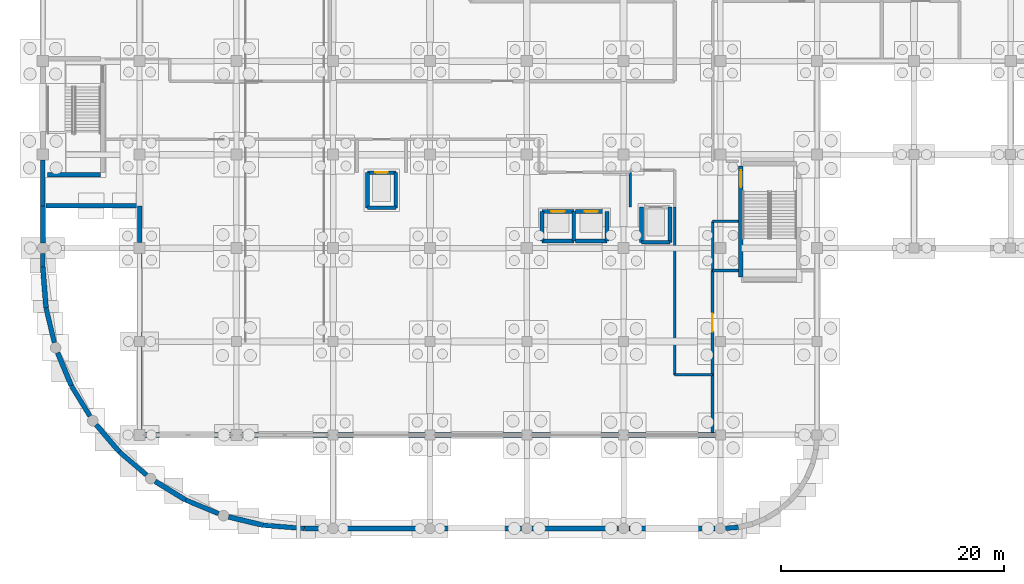
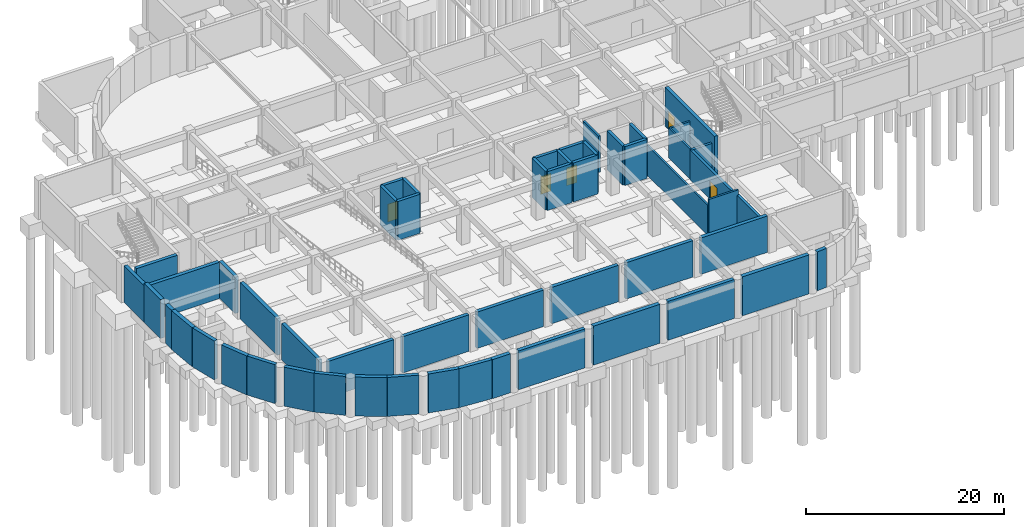
# One storey, part 24 of 33: 53 walls, 5 doors, 5 openings.
"""IFC4 building model written with IfcOpenShell, lengths in metres."""

from ifc_helpers import new_model, si_unit, derived_unit, direction, frame, frame_2d, origin, place, context, subcontext, project, spatial, rectangle, extrude, material, layer, layer_set, type_object, element, fill, save


model = new_model("IFC4")

# Units and contexts
model_context = context("Model", 3, precision=1e-05, world=origin(), true_north=direction((0.0, 1.0)))
body_context = subcontext(model_context, "Body", "Model", "MODEL_VIEW")
ifc_project = project(units=[si_unit("LENGTHUNIT", "METRE"), si_unit("AREAUNIT", "SQUARE_METRE"), si_unit("VOLUMEUNIT", "CUBIC_METRE"), si_unit("PLANEANGLEUNIT", "RADIAN"), si_unit("MASSUNIT", "GRAM", prefix="KILO"), derived_unit("THERMALTRANSMITTANCEUNIT", [(si_unit("MASSUNIT", "GRAM", prefix="KILO"), 1), (si_unit("TIMEUNIT", "SECOND"), -3), (si_unit("THERMODYNAMICTEMPERATUREUNIT", "KELVIN"), -1)])], contexts=[model_context])

# Site, building, storey
site_placement = place(None, origin())
site = spatial("IfcSite", under=ifc_project, at=site_placement, CompositionType="ELEMENT")
building_placement = place(site_placement, origin())
building = spatial("IfcBuilding", under=site, at=building_placement, Name="Qinzheling Arcade Emporium", CompositionType="ELEMENT")
storey_placement = place(building_placement, frame((0.0, 0.0, -9.60009765625)))
storey = spatial("IfcBuildingStorey", under=building, at=storey_placement, Name="B2", CompositionType="ELEMENT", Elevation=-9.60009765625)

# Walls
ifc_material_1 = material(Name="Double-stud acoustic gypsum board partition")
ifc_layer_1 = layer(ifc_material_1, 0.215087890625, Name="Double-stud acoustic gypsum board partition")
ifc_layer_set_1 = layer_set([ifc_layer_1], Name="Double-stud acoustic gypsum board partition")
wall_type_1 = type_object("IfcWallType", Name="Acoustic Corridor Partition Wall 215", PredefinedType="PARTITIONING", material=ifc_layer_set_1)
wall_1_placement = place(storey_placement, frame((62.544921875, 27.60009765625, 0.0), z_axis=(0.0, 0.0, 1.0), x_axis=(-1.0, 0.0, 0.0)))
element("IfcWall", 1, at=wall_1_placement, inside=storey, type_object=wall_type_1, Name="Interior Wall WL-B2-INT-0061", PredefinedType="PARTITIONING", context=body_context, shape_type="SweptSolid", body=[
    extrude(rectangle(XDim=2.344970703125, YDim=0.215087890625, at=frame_2d((1.17236328125, 0.0))), origin(), (0.0, 0.0, 1.0), 3.670166015625),
])
wall_2_placement = place(storey_placement, frame((60.199951171875, 27.60009765625, 0.0), z_axis=(0.0, 0.0, 1.0), x_axis=(0.0, -1.0, 0.0)))
element("IfcWall", 2, at=wall_2_placement, inside=storey, type_object=wall_type_1, Name="Interior Wall WL-B2-INT-0062", PredefinedType="PARTITIONING", context=body_context, shape_type="SweptSolid", body=[
    extrude(rectangle(XDim=4.400146484375, YDim=0.215087890625, at=frame_2d((2.2001953125, 0.0))), origin(), (0.0, 0.0, 1.0), 3.670166015625),
])
wall_3_placement = place(storey_placement, frame((60.199951171875, 13.800048828125, 0.0), z_axis=(0.0, 0.0, 1.0), x_axis=(-1.0, 0.0, 0.0)))
element("IfcWall", 3, at=wall_3_placement, inside=storey, type_object=wall_type_1, Name="Interior Wall WL-B2-INT-0070", PredefinedType="PARTITIONING", context=body_context, shape_type="SweptSolid", body=[
    extrude(rectangle(XDim=3.39990234375, YDim=0.215087890625, at=frame_2d((1.699951171875, 0.0))), origin(), (0.0, 0.0, 1.0), 4.4501953125),
])
wall_4_placement = place(storey_placement, frame((56.800048828125, 13.800048828125, 0.0), z_axis=(0.0, 0.0, 1.0), x_axis=(0.0, 1.0, 0.0)))
element("IfcWall", 4, at=wall_4_placement, inside=storey, type_object=wall_type_1, Name="Interior Wall WL-B2-INT-0071", PredefinedType="PARTITIONING", context=body_context, shape_type="SweptSolid", body=[
    extrude(rectangle(XDim=15.079833984375, YDim=0.215087890625, at=frame_2d((7.5400390625, 0.0))), origin(), (0.0, 0.0, 1.0), 3.670166015625),
])
ifc_material_2 = material(Name="Concrete C40", Category="concrete")
ifc_layer_2 = layer(ifc_material_2, 0.419921875, Name="Concrete C40", Category="concrete")
ifc_layer_set_2 = layer_set([ifc_layer_2], Name="Concrete C40")
wall_type_2 = type_object("IfcWallType", Name="Basement Ramp Retaining Wall 420 C40", PredefinedType="USERDEFINED", material=ifc_layer_set_2)
wall_5_placement = place(storey_placement, frame((62.513916015625, 0.10302734375, 0.0), z_axis=(0.0, 0.0, 1.0), x_axis=(-0.996942630005, -0.078137010941, 0.0)))
element("IfcWall", 5, at=wall_5_placement, inside=storey, type_object=wall_type_2, Name="Retaining Wall WL-B2-RW-012", ObjectType="RETAININGWALL", PredefinedType="USERDEFINED", context=body_context, shape_type="SweptSolid", body=[
    extrude(rectangle(XDim=1.140380859375, YDim=0.419921875, at=frame_2d((0.5703125, 0.0))), origin(), (0.0, 0.0, 1.0), 4.800048828125),
])
wall_6_placement = place(storey_placement, frame((51.722900390625, 0.0, 0.0), z_axis=(0.0, 0.0, 1.0), x_axis=(-1.0, 0.0, 0.0)))
element("IfcWall", 6, at=wall_6_placement, inside=storey, type_object=wall_type_2, Name="Retaining Wall WL-B2-RW-014", ObjectType="RETAININGWALL", PredefinedType="USERDEFINED", context=body_context, shape_type="SweptSolid", body=[
    extrude(rectangle(XDim=7.745849609375, YDim=0.419921875, at=frame_2d((3.873046875, 0.0))), origin(), (0.0, 0.0, 1.0), 4.800048828125),
])
wall_7_placement = place(storey_placement, frame((34.322998046875, 0.0, 0.0), z_axis=(0.0, 0.0, 1.0), x_axis=(-1.0, 0.0, 0.0)))
element("IfcWall", 7, at=wall_7_placement, inside=storey, type_object=wall_type_2, Name="Retaining Wall WL-B2-RW-016", ObjectType="RETAININGWALL", PredefinedType="USERDEFINED", context=body_context, shape_type="SweptSolid", body=[
    extrude(rectangle(XDim=7.74609375, YDim=0.419921875, at=frame_2d((3.873046875, 0.0))), origin(), (0.0, 0.0, 1.0), 4.800048828125),
])
wall_8_placement = place(storey_placement, frame((23.5, 0.0, 0.0), z_axis=(0.0, 0.0, 1.0), x_axis=(-0.996922570338, 0.078392529938, 0.0)))
element("IfcWall", 8, at=wall_8_placement, inside=storey, type_object=wall_type_2, Name="Retaining Wall WL-B2-RW-018", ObjectType="RETAININGWALL", PredefinedType="USERDEFINED", context=body_context, shape_type="SweptSolid", body=[
    extrude(rectangle(XDim=3.687255859375, YDim=0.419921875, at=frame_2d((1.84375, 0.0))), origin(), (0.0, 0.0, 1.0), 4.800048828125),
])
for number, where, z_axis, x_axis, name in (
    (9, (15.797119140625, 1.3330078125, 0.0), (0.0, 0.0, 1.0), (-0.923940840617, 0.382535387958, 0.0), "Retaining Wall WL-B2-RW-020"),
    (10, (9.323974609375, 4.798095703125, 0.0), (0.0, 0.0, 1.0), (-0.760372113248, 0.64948768225, 0.0), "Retaining Wall WL-B2-RW-022"),
):
    element("IfcWall", number, at=place(storey_placement, frame(where, z_axis=z_axis, x_axis=x_axis)), inside=storey, type_object=wall_type_2, Name=name, ObjectType="RETAININGWALL", PredefinedType="USERDEFINED", context=body_context, shape_type="SweptSolid", body=[
        extrude(rectangle(XDim=3.210205078125, YDim=0.419921875, at=frame_2d((1.60498046875, 0.0))), origin(), (0.0, 0.0, 1.0), 4.800048828125),
    ])
wall_9_placement = place(storey_placement, frame((4.239013671875, 10.093994140625, 0.0), z_axis=(0.0, 0.0, 1.0), x_axis=(-0.52265834778, 0.85254222857, 0.0)))
element("IfcWall", 11, at=wall_9_placement, inside=storey, type_object=wall_type_2, Name="Retaining Wall WL-B2-RW-024", ObjectType="RETAININGWALL", PredefinedType="USERDEFINED", context=body_context, shape_type="SweptSolid", body=[
    extrude(rectangle(XDim=3.21044921875, YDim=0.419921875, at=frame_2d((1.605224609375, 0.0))), origin(), (0.0, 0.0, 1.0), 4.800048828125),
])
wall_10_placement = place(storey_placement, frame((1.0390625, 16.701904296875, 0.0), z_axis=(0.0, 0.0, 1.0), x_axis=(-0.233580002075, 0.972337586762, 0.0)))
element("IfcWall", 12, at=wall_10_placement, inside=storey, type_object=wall_type_2, Name="Retaining Wall WL-B2-RW-026", ObjectType="RETAININGWALL", PredefinedType="USERDEFINED", context=body_context, shape_type="SweptSolid", body=[
    extrude(rectangle(XDim=3.2109375, YDim=0.419921875, at=frame_2d((1.60546875, 0.0))), origin(), (0.0, 0.0, 1.0), 4.800048828125),
])
wall_11_placement = place(storey_placement, frame((0.0, 23.5, 0.0), z_axis=(0.0, 0.0, 1.0), x_axis=(0.0, 1.0, 0.0)))
element("IfcWall", 13, at=wall_11_placement, inside=storey, type_object=wall_type_2, Name="Retaining Wall WL-B2-RW-028", ObjectType="RETAININGWALL", PredefinedType="USERDEFINED", context=body_context, shape_type="SweptSolid", body=[
    extrude(rectangle(XDim=1.222900390625, YDim=0.419921875, at=frame_2d((0.611328125, 0.0))), origin(), (0.0, 0.0, 1.0), 4.800048828125),
])
wall_12_placement = place(storey_placement, frame((0.0, 29.0, 0.0), z_axis=(0.0, 0.0, 1.0), x_axis=(0.0, 1.0, 0.0)))
element("IfcWall", 14, at=wall_12_placement, inside=storey, type_object=wall_type_2, Name="Retaining Wall WL-B2-RW-030", ObjectType="RETAININGWALL", PredefinedType="USERDEFINED", context=body_context, shape_type="SweptSolid", body=[
    extrude(rectangle(XDim=4.097900390625, YDim=0.419921875, at=frame_2d((2.048828125, 0.0))), origin(), (0.0, 0.0, 1.0), 4.47998046875),
])
ifc_material_3 = material(Name="Fire-rated double-stud gypsum and mineral wool wall")
ifc_layer_3 = layer(ifc_material_3, 0.2451171875, Name="Fire-rated double-stud gypsum and mineral wool wall")
ifc_layer_set_3 = layer_set([ifc_layer_3], Name="Fire-rated double-stud gypsum and mineral wool wall")
wall_type_3 = type_object("IfcWallType", Name="Firefighting Lobby Rated Wall 245", PredefinedType="STANDARD", material=ifc_layer_set_3)
wall_13_placement = place(storey_placement, frame((52.800048828125, 28.8798828125, 0.0), z_axis=(0.0, 0.0, 1.0), x_axis=(0.0, 1.0, 0.0)))
element("IfcWall", 15, at=wall_13_placement, inside=storey, type_object=wall_type_3, Name="Interior Wall WL-B2-INT-0047", PredefinedType="STANDARD", context=body_context, shape_type="SweptSolid", body=[
    extrude(rectangle(XDim=3.1201171875, YDim=0.2451171875, at=frame_2d((1.56005859375, 0.0))), origin(), (0.0, 0.0, 1.0), 4.4501953125),
])
ifc_layer_4 = layer(ifc_material_2, 0.409912109375, Name="Concrete C40", Category="concrete")
ifc_layer_set_4 = layer_set([ifc_layer_4], Name="Concrete C40")
wall_type_4 = type_object("IfcWallType", Name="Interior Basement Retaining Wall 410 C40", PredefinedType="USERDEFINED", material=ifc_layer_set_4)
wall_14_placement = place(storey_placement, frame((8.699951171875, 8.902099609375, 0.0), z_axis=(0.0, 0.0, 1.0), x_axis=(0.0, 1.0, 0.0)))
element("IfcWall", 16, at=wall_14_placement, inside=storey, type_object=wall_type_4, Name="Internal Basement Retaining Wall WL-B2-RW-132", ObjectType="RETAININGWALL", PredefinedType="USERDEFINED", context=body_context, shape_type="SweptSolid", body=[
    extrude(rectangle(XDim=7.44580078125, YDim=0.409912109375, at=frame_2d((3.722900390625, 0.0))), origin(), (0.0, 0.0, 1.0), 4.47998046875),
])
wall_15_placement = place(storey_placement, frame((8.699951171875, 17.251953125, 0.0), z_axis=(0.0, 0.0, 1.0), x_axis=(0.0, 1.0, 0.0)))
element("IfcWall", 17, at=wall_15_placement, inside=storey, type_object=wall_type_4, Name="Internal Basement Retaining Wall WL-B2-RW-133", ObjectType="RETAININGWALL", PredefinedType="USERDEFINED", context=body_context, shape_type="SweptSolid", body=[
    extrude(rectangle(XDim=7.446044921875, YDim=0.409912109375, at=frame_2d((3.72314453125, 0.0))), origin(), (0.0, 0.0, 1.0), 4.47998046875),
])
wall_16_placement = place(storey_placement, frame((8.699951171875, 25.701904296875, 0.0), z_axis=(0.0, 0.0, 1.0), x_axis=(0.0, 1.0, 0.0)))
element("IfcWall", 18, at=wall_16_placement, inside=storey, type_object=wall_type_4, Name="Internal Basement Retaining Wall WL-B2-RW-134", ObjectType="RETAININGWALL", PredefinedType="USERDEFINED", context=body_context, shape_type="SweptSolid", body=[
    extrude(rectangle(XDim=3.298095703125, YDim=0.409912109375, at=frame_2d((1.64892578125, 0.0))), origin(), (0.0, 0.0, 1.0), 4.47998046875),
])
wall_17_placement = place(storey_placement, frame((8.455078125, 29.0, 0.0), z_axis=(0.0, 0.0, 1.0), x_axis=(-1.0, 0.0, 0.0)))
element("IfcWall", 19, at=wall_17_placement, inside=storey, type_object=wall_type_4, Name="Internal Basement Retaining Wall WL-B2-RW-135", ObjectType="RETAININGWALL", PredefinedType="USERDEFINED", context=body_context, shape_type="SweptSolid", body=[
    extrude(rectangle(XDim=8.190185546875, YDim=0.409912109375, at=frame_2d((4.09521484375, 0.0))), origin(), (0.0, 0.0, 1.0), 4.47998046875),
])
wall_18_placement = place(storey_placement, frame((60.447998046875, 8.39990234375, 0.0), z_axis=(0.0, 0.0, 1.0), x_axis=(-1.0, 0.0, 0.0)))
element("IfcWall", 20, at=wall_18_placement, inside=storey, type_object=wall_type_4, Name="Internal Basement Retaining Wall WL-B2-RW-161", ObjectType="RETAININGWALL", PredefinedType="USERDEFINED", context=body_context, shape_type="SweptSolid", body=[
    extrude(rectangle(XDim=7.7958984375, YDim=0.409912109375, at=frame_2d((3.89794921875, 0.0))), origin(), (0.0, 0.0, 1.0), 4.47998046875),
])
for number, where, z_axis, x_axis, name in (
    (21, (51.748046875, 8.39990234375, 0.0), (0.0, 0.0, 1.0), (-1.0, 0.0, 0.0), "Internal Basement Retaining Wall WL-B2-RW-162"),
    (22, (43.048095703125, 8.39990234375, 0.0), (0.0, 0.0, 1.0), (-1.0, 0.0, 0.0), "Internal Basement Retaining Wall WL-B2-RW-163"),
):
    element("IfcWall", number, at=place(storey_placement, frame(where, z_axis=z_axis, x_axis=x_axis)), inside=storey, type_object=wall_type_4, Name=name, ObjectType="RETAININGWALL", PredefinedType="USERDEFINED", context=body_context, shape_type="SweptSolid", body=[
        extrude(rectangle(XDim=7.796142578125, YDim=0.409912109375, at=frame_2d((3.89794921875, 0.0))), origin(), (0.0, 0.0, 1.0), 4.47998046875),
    ])
wall_19_placement = place(storey_placement, frame((34.347900390625, 8.39990234375, 0.0), z_axis=(0.0, 0.0, 1.0), x_axis=(-1.0, 0.0, 0.0)))
element("IfcWall", 23, at=wall_19_placement, inside=storey, type_object=wall_type_4, Name="Internal Basement Retaining Wall WL-B2-RW-164", ObjectType="RETAININGWALL", PredefinedType="USERDEFINED", context=body_context, shape_type="SweptSolid", body=[
    extrude(rectangle(XDim=7.7958984375, YDim=0.409912109375, at=frame_2d((3.89794921875, 0.0))), origin(), (0.0, 0.0, 1.0), 4.47998046875),
])
wall_20_placement = place(storey_placement, frame((25.64794921875, 8.39990234375, 0.0), z_axis=(0.0, 0.0, 1.0), x_axis=(-1.0, 0.0, 0.0)))
element("IfcWall", 24, at=wall_20_placement, inside=storey, type_object=wall_type_4, Name="Internal Basement Retaining Wall WL-B2-RW-165", ObjectType="RETAININGWALL", PredefinedType="USERDEFINED", context=body_context, shape_type="SweptSolid", body=[
    extrude(rectangle(XDim=7.745849609375, YDim=0.409912109375, at=frame_2d((3.873046875, 0.0))), origin(), (0.0, 0.0, 1.0), 4.47998046875),
])
wall_21_placement = place(storey_placement, frame((16.89794921875, 8.39990234375, 0.0), z_axis=(0.0, 0.0, 1.0), x_axis=(-1.0, 0.0, 0.0)))
element("IfcWall", 25, at=wall_21_placement, inside=storey, type_object=wall_type_4, Name="Internal Basement Retaining Wall WL-B2-RW-166", ObjectType="RETAININGWALL", PredefinedType="USERDEFINED", context=body_context, shape_type="SweptSolid", body=[
    extrude(rectangle(XDim=7.696044921875, YDim=0.409912109375, at=frame_2d((3.84814453125, 0.0))), origin(), (0.0, 0.0, 1.0), 4.47998046875),
])
ifc_layer_5 = layer(ifc_material_2, 0.35009765625, Name="Concrete C40", Category="concrete")
ifc_layer_set_5 = layer_set([ifc_layer_5], Name="Concrete C40")
wall_type_5 = type_object("IfcWallType", Name="RC Lift Shaft Shear Wall 350 C40", PredefinedType="SHEAR", material=ifc_layer_set_5)
wall_22_placement = place(storey_placement, frame((56.375, 25.72509765625, 0.0), z_axis=(0.0, 0.0, 1.0), x_axis=(-1.0, 0.0, 0.0)))
element("IfcWall", 26, at=wall_22_placement, inside=storey, type_object=wall_type_5, Name="Lift Shaft Wall WL-B2-LFT-LF01-S", PredefinedType="SHEAR", context=body_context, shape_type="SweptSolid", body=[
    extrude(rectangle(XDim=2.550048828125, YDim=0.35009765625, at=frame_2d((1.27490234375, 0.0))), origin(), (0.0, 0.0, 1.0), 4.800048828125),
])
for number, where, z_axis, x_axis, name in (
    (27, (53.824951171875, 25.72509765625, 0.0), (0.0, 0.0, 1.0), (0.0, 1.0, 0.0), "Lift Shaft Wall WL-B2-LFT-LF01-W"),
    (28, (56.375, 28.875, 0.0), (0.0, 0.0, 1.0), (0.0, -1.0, 0.0), "Lift Shaft Wall WL-B2-LFT-LF01-E"),
):
    element("IfcWall", number, at=place(storey_placement, frame(where, z_axis=z_axis, x_axis=x_axis)), inside=storey, type_object=wall_type_5, Name=name, PredefinedType="SHEAR", context=body_context, shape_type="SweptSolid", body=[
        extrude(rectangle(XDim=3.14990234375, YDim=0.35009765625, at=frame_2d((1.574951171875, 0.0))), origin(), (0.0, 0.0, 1.0), 4.800048828125),
    ])

# Wall, opening, door
wall_23_placement = place(storey_placement, frame((29.175048828125, 31.97509765625, 0.0), z_axis=(0.0, 0.0, 1.0), x_axis=(1.0, 0.0, 0.0)))
wall_23 = element("IfcWall", 29, at=wall_23_placement, inside=storey, type_object=wall_type_5, Name="Lift Shaft Wall WL-B2-LFT-LF02-N", PredefinedType="SHEAR", context=body_context, shape_type="SweptSolid", body=[
    extrude(rectangle(XDim=2.550048828125, YDim=0.35009765625, at=frame_2d((1.27490234375, 0.0))), origin(), (0.0, 0.0, 1.0), 4.800048828125),
])
opening_1_placement = place(wall_23_placement, frame((0.72509765625, 0.0, 0.0)))
opening_1 = element("IfcOpeningElement", 30, at=opening_1_placement, cuts=wall_23, Name="Opening LD01", PredefinedType="OPENING", context=body_context, shape_type="SweptSolid", body=[
    extrude(rectangle(XDim=1.10009765625, YDim=2.199951171875, at=frame_2d((0.550048828125, 1.10009765625))), frame((0.0, 0.18505859375, 0.0), z_axis=(0.0, -1.0, 0.0), x_axis=(1.0, 0.0, 0.0)), (0.0, 0.0, 1.0), 0.3701171875),
])
ifc_material_4 = material(Name="Fire-rated stainless steel sliding lift door", Category="steel")
door_type_1 = type_object("IfcDoorType", Name="Firefighting Lift Sliding Landing Door 1100x2200", OperationType="DOUBLE_DOOR_SLIDING", PredefinedType="DOOR", material=ifc_material_4)
door_1_placement = place(opening_1_placement, origin())
door_1 = element("IfcDoor", 31, at=door_1_placement, inside=storey, type_object=door_type_1, Name="LD01 Lift Landing Door LF02 B2", OperationType="DOUBLE_DOOR_SLIDING", OverallHeight=2.199951171875, OverallWidth=1.10009765625, PredefinedType="DOOR", context=body_context, shape_type="SweptSolid", body=[
    extrude(rectangle(XDim=1.10009765625, YDim=2.199951171875, at=frame_2d((0.550048828125, 1.10009765625))), frame((0.0, 0.02490234375, 0.0), z_axis=(0.0, -1.0, 0.0), x_axis=(1.0, 0.0, 0.0)), (0.0, 0.0, 1.0), 0.050048828125),
])
fill(opening_1, door_1)

# Walls
wall_24_placement = place(storey_placement, frame((31.72509765625, 28.824951171875, 0.0), z_axis=(0.0, 0.0, 1.0), x_axis=(-1.0, 0.0, 0.0)))
element("IfcWall", 32, at=wall_24_placement, inside=storey, type_object=wall_type_5, Name="Lift Shaft Wall WL-B2-LFT-LF02-S", PredefinedType="SHEAR", context=body_context, shape_type="SweptSolid", body=[
    extrude(rectangle(XDim=2.550048828125, YDim=0.35009765625, at=frame_2d((1.27490234375, 0.0))), origin(), (0.0, 0.0, 1.0), 4.800048828125),
])
for number, where, z_axis, x_axis, name in (
    (33, (29.175048828125, 28.824951171875, 0.0), (0.0, 0.0, 1.0), (0.0, 1.0, 0.0), "Lift Shaft Wall WL-B2-LFT-LF02-W"),
    (34, (31.72509765625, 31.97509765625, 0.0), (0.0, 0.0, 1.0), (0.0, -1.0, 0.0), "Lift Shaft Wall WL-B2-LFT-LF02-E"),
):
    element("IfcWall", number, at=place(storey_placement, frame(where, z_axis=z_axis, x_axis=x_axis)), inside=storey, type_object=wall_type_5, Name=name, PredefinedType="SHEAR", context=body_context, shape_type="SweptSolid", body=[
        extrude(rectangle(XDim=3.150146484375, YDim=0.35009765625, at=frame_2d((1.5751953125, 0.0))), origin(), (0.0, 0.0, 1.0), 4.800048828125),
    ])

# Wall, opening, door
wall_25_placement = place(storey_placement, frame((44.875, 28.47509765625, 0.0), z_axis=(0.0, 0.0, 1.0), x_axis=(1.0, 0.0, 0.0)))
wall_25 = element("IfcWall", 35, at=wall_25_placement, inside=storey, type_object=wall_type_5, Name="Lift Shaft Wall WL-B2-LFT-LP01-N", PredefinedType="SHEAR", context=body_context, shape_type="SweptSolid", body=[
    extrude(rectangle(XDim=2.85009765625, YDim=0.35009765625, at=frame_2d((1.425048828125, 0.0))), origin(), (0.0, 0.0, 1.0), 4.800048828125),
])
opening_2_placement = place(wall_25_placement, frame((0.824951171875, 0.0, 0.0)))
opening_2 = element("IfcOpeningElement", 36, at=opening_2_placement, cuts=wall_25, Name="Opening LD02", PredefinedType="OPENING", context=body_context, shape_type="SweptSolid", body=[
    extrude(rectangle(XDim=1.199951171875, YDim=2.199951171875, at=frame_2d((0.60009765625, 1.10009765625))), frame((0.0, 0.18505859375, 0.0), z_axis=(0.0, -1.0, 0.0), x_axis=(1.0, 0.0, 0.0)), (0.0, 0.0, 1.0), 0.3701171875),
])
ifc_material_5 = material(Name="Brushed bronze stainless sliding lift door")
door_type_2 = type_object("IfcDoorType", Name="Passenger Lift Sliding Landing Door 1200x2200", OperationType="DOUBLE_DOOR_SLIDING", PredefinedType="DOOR", material=ifc_material_5)
door_2_placement = place(opening_2_placement, origin())
door_2 = element("IfcDoor", 37, at=door_2_placement, inside=storey, type_object=door_type_2, Name="LD02 Lift Landing Door LP01 B2", OperationType="DOUBLE_DOOR_SLIDING", OverallHeight=2.199951171875, OverallWidth=1.199951171875, PredefinedType="DOOR", context=body_context, shape_type="SweptSolid", body=[
    extrude(rectangle(XDim=1.199951171875, YDim=2.199951171875, at=frame_2d((0.60009765625, 1.10009765625))), frame((0.0, 0.02490234375, 0.0), z_axis=(0.0, -1.0, 0.0), x_axis=(1.0, 0.0, 0.0)), (0.0, 0.0, 1.0), 0.050048828125),
])
fill(opening_2, door_2)

# Walls
wall_26_placement = place(storey_placement, frame((47.72509765625, 25.824951171875, 0.0), z_axis=(0.0, 0.0, 1.0), x_axis=(-1.0, 0.0, 0.0)))
element("IfcWall", 38, at=wall_26_placement, inside=storey, type_object=wall_type_5, Name="Lift Shaft Wall WL-B2-LFT-LP01-S", PredefinedType="SHEAR", context=body_context, shape_type="SweptSolid", body=[
    extrude(rectangle(XDim=2.85009765625, YDim=0.35009765625, at=frame_2d((1.425048828125, 0.0))), origin(), (0.0, 0.0, 1.0), 4.800048828125),
])
for number, where, z_axis, x_axis, name in (
    (39, (44.875, 25.824951171875, 0.0), (0.0, 0.0, 1.0), (0.0, 1.0, 0.0), "Lift Shaft Wall WL-B2-LFT-LP01-W"),
    (40, (47.72509765625, 28.47509765625, 0.0), (0.0, 0.0, 1.0), (0.0, -1.0, 0.0), "Lift Shaft Wall WL-B2-LFT-LP01-E"),
):
    element("IfcWall", number, at=place(storey_placement, frame(where, z_axis=z_axis, x_axis=x_axis)), inside=storey, type_object=wall_type_5, Name=name, PredefinedType="SHEAR", context=body_context, shape_type="SweptSolid", body=[
        extrude(rectangle(XDim=2.650146484375, YDim=0.35009765625, at=frame_2d((1.3251953125, 0.0))), origin(), (0.0, 0.0, 1.0), 4.800048828125),
    ])

# Wall, opening, door
wall_27_placement = place(storey_placement, frame((47.875, 28.47509765625, 0.0), z_axis=(0.0, 0.0, 1.0), x_axis=(1.0, 0.0, 0.0)))
wall_27 = element("IfcWall", 41, at=wall_27_placement, inside=storey, type_object=wall_type_5, Name="Lift Shaft Wall WL-B2-LFT-LP02-N", PredefinedType="SHEAR", context=body_context, shape_type="SweptSolid", body=[
    extrude(rectangle(XDim=2.85009765625, YDim=0.35009765625, at=frame_2d((1.425048828125, 0.0))), origin(), (0.0, 0.0, 1.0), 4.800048828125),
])
opening_3_placement = place(wall_27_placement, frame((0.824951171875, 0.0, 0.0)))
opening_3 = element("IfcOpeningElement", 42, at=opening_3_placement, cuts=wall_27, Name="Opening LD02", PredefinedType="OPENING", context=body_context, shape_type="SweptSolid", body=[
    extrude(rectangle(XDim=1.199951171875, YDim=2.199951171875, at=frame_2d((0.60009765625, 1.10009765625))), frame((0.0, 0.18505859375, 0.0), z_axis=(0.0, -1.0, 0.0), x_axis=(1.0, 0.0, 0.0)), (0.0, 0.0, 1.0), 0.3701171875),
])
door_3_placement = place(opening_3_placement, origin())
door_3 = element("IfcDoor", 43, at=door_3_placement, inside=storey, type_object=door_type_2, Name="LD02 Lift Landing Door LP02 B2", OperationType="DOUBLE_DOOR_SLIDING", OverallHeight=2.199951171875, OverallWidth=1.199951171875, PredefinedType="DOOR", context=body_context, shape_type="SweptSolid", body=[
    extrude(rectangle(XDim=1.199951171875, YDim=2.199951171875, at=frame_2d((0.60009765625, 1.10009765625))), frame((0.0, 0.02490234375, 0.0), z_axis=(0.0, -1.0, 0.0), x_axis=(1.0, 0.0, 0.0)), (0.0, 0.0, 1.0), 0.050048828125),
])
fill(opening_3, door_3)

# Walls
wall_28_placement = place(storey_placement, frame((50.72509765625, 25.824951171875, 0.0), z_axis=(0.0, 0.0, 1.0), x_axis=(-1.0, 0.0, 0.0)))
element("IfcWall", 44, at=wall_28_placement, inside=storey, type_object=wall_type_5, Name="Lift Shaft Wall WL-B2-LFT-LP02-S", PredefinedType="SHEAR", context=body_context, shape_type="SweptSolid", body=[
    extrude(rectangle(XDim=2.85009765625, YDim=0.35009765625, at=frame_2d((1.425048828125, 0.0))), origin(), (0.0, 0.0, 1.0), 4.800048828125),
])
wall_29_placement = place(storey_placement, frame((50.72509765625, 28.47509765625, 0.0), z_axis=(0.0, 0.0, 1.0), x_axis=(0.0, -1.0, 0.0)))
element("IfcWall", 45, at=wall_29_placement, inside=storey, type_object=wall_type_5, Name="Lift Shaft Wall WL-B2-LFT-LP02-E", PredefinedType="SHEAR", context=body_context, shape_type="SweptSolid", body=[
    extrude(rectangle(XDim=2.650146484375, YDim=0.35009765625, at=frame_2d((1.3251953125, 0.0))), origin(), (0.0, 0.0, 1.0), 4.800048828125),
])

# Wall, opening, door
ifc_material_6 = material(Name="Concrete C50", Category="concrete")
ifc_layer_6 = layer(ifc_material_6, 0.39990234375, Name="Concrete C50", Category="concrete")
ifc_layer_set_6 = layer_set([ifc_layer_6], Name="Concrete C50")
wall_type_6 = type_object("IfcWallType", Name="RC Stair Core Shear Wall 400 C50", PredefinedType="SHEAR", material=ifc_layer_set_6)
wall_30_placement = place(storey_placement, frame((62.75, 22.60009765625, 0.0), z_axis=(0.0, 0.0, 1.0), x_axis=(0.0, 1.0, 0.0)))
wall_30 = element("IfcWall", 46, at=wall_30_placement, inside=storey, type_object=wall_type_6, Name="Stair Core Wall WL-B2-ST01-WEST", PredefinedType="SHEAR", context=body_context, shape_type="SweptSolid", body=[
    extrude(rectangle(XDim=10.0, YDim=0.39990234375, at=frame_2d((5.0, 0.0))), origin(), (0.0, 0.0, 1.0), 4.800048828125),
])
opening_4_placement = place(wall_30_placement, frame((8.090087890625, 0.0, 0.0)))
opening_4 = element("IfcOpeningElement", 47, at=opening_4_placement, cuts=wall_30, Name="Opening FD01", PredefinedType="OPENING", context=body_context, shape_type="SweptSolid", body=[
    extrude(rectangle(XDim=1.5, YDim=2.199951171875, at=frame_2d((0.75, 1.10009765625))), frame((0.0, 0.2099609375, 0.0), z_axis=(0.0, -1.0, 0.0), x_axis=(1.0, 0.0, 0.0)), (0.0, 0.0, 1.0), 0.419921875),
])
ifc_material_7 = material(Name="Class A fire-rated steel double door", Category="steel")
door_type_3 = type_object("IfcDoorType", Name="Stairwell Smoke-Proof Fire Door 1500x2200", OperationType="DOUBLE_DOOR_SINGLE_SWING", PredefinedType="DOOR", material=ifc_material_7)
door_4_placement = place(opening_4_placement, origin())
door_4 = element("IfcDoor", 48, at=door_4_placement, inside=storey, type_object=door_type_3, Name="FD01 Stairwell Fire Door DR-B2-ST01-FD", OperationType="DOUBLE_DOOR_SINGLE_SWING", OverallHeight=2.199951171875, OverallWidth=1.5, PredefinedType="DOOR", context=body_context, shape_type="SweptSolid", body=[
    extrude(rectangle(XDim=1.5, YDim=2.199951171875, at=frame_2d((0.75, 1.10009765625))), frame((0.0, 0.02490234375, 0.0), z_axis=(0.0, -1.0, 0.0), x_axis=(1.0, 0.0, 0.0)), (0.0, 0.0, 1.0), 0.050048828125),
])
fill(opening_4, door_4)

# Wall
wall_31_placement = place(storey_placement, frame((5.18994140625, 31.800048828125, 0.0), z_axis=(0.0, 0.0, 1.0), x_axis=(-1.0, 0.0, 0.0)))
element("IfcWall", 49, at=wall_31_placement, inside=storey, type_object=wall_type_6, Name="Stair Core Wall WL-B2-ST02-SOUTH", PredefinedType="SHEAR", context=body_context, shape_type="SweptSolid", body=[
    extrude(rectangle(XDim=4.7900390625, YDim=0.39990234375, at=frame_2d((2.39501953125, 0.0))), origin(), (0.0, 0.0, 1.0), 4.800048828125),
])

# Wall, opening, door
ifc_material_8 = material(Name="Autoclaved aerated concrete masonry with fire plaster", Category="masonry")
ifc_layer_7 = layer(ifc_material_8, 0.284912109375, Name="Autoclaved aerated concrete masonry with fire plaster", Category="masonry")
ifc_layer_set_7 = layer_set([ifc_layer_7], Name="Autoclaved aerated concrete masonry with fire plaster")
wall_type_7 = type_object("IfcWallType", Name="Stockroom and Plant Fire Wall 285", PredefinedType="STANDARD", material=ifc_layer_set_7)
wall_32_placement = place(storey_placement, frame((60.199951171875, 23.199951171875, 0.0), z_axis=(0.0, 0.0, 1.0), x_axis=(0.0, -1.0, 0.0)))
wall_32 = element("IfcWall", 50, at=wall_32_placement, inside=storey, type_object=wall_type_7, Name="Interior Wall WL-B2-INT-0054", PredefinedType="STANDARD", context=body_context, shape_type="SweptSolid", body=[
    extrude(rectangle(XDim=9.39990234375, YDim=0.284912109375, at=frame_2d((4.699951171875, 0.0))), origin(), (0.0, 0.0, 1.0), 3.670166015625),
])
opening_5_placement = place(wall_32_placement, frame((3.89990234375, 0.0, 0.0)))
opening_5 = element("IfcOpeningElement", 51, at=opening_5_placement, cuts=wall_32, Name="Opening FD04", PredefinedType="OPENING", context=body_context, shape_type="SweptSolid", body=[
    extrude(rectangle(XDim=1.60009765625, YDim=2.25, at=frame_2d((0.800048828125, 1.125))), frame((0.0, 0.15234375, 0.0), z_axis=(0.0, -1.0, 0.0), x_axis=(1.0, 0.0, 0.0)), (0.0, 0.0, 1.0), 0.304931640625),
])
door_type_4 = type_object("IfcDoorType", Name="Plant Room Fire Door 1600x2250", OperationType="DOUBLE_DOOR_SINGLE_SWING", PredefinedType="DOOR", material=ifc_material_7)
door_5_placement = place(opening_5_placement, origin())
door_5 = element("IfcDoor", 52, at=door_5_placement, inside=storey, type_object=door_type_4, Name="FD04 Interior Door DR-B2-INT-0018", OperationType="DOUBLE_DOOR_SINGLE_SWING", OverallHeight=2.25, OverallWidth=1.60009765625, PredefinedType="DOOR", context=body_context, shape_type="SweptSolid", body=[
    extrude(rectangle(XDim=1.60009765625, YDim=2.25, at=frame_2d((0.800048828125, 1.125))), frame((0.0, 0.02490234375, 0.0), z_axis=(0.0, -1.0, 0.0), x_axis=(1.0, 0.0, 0.0)), (0.0, 0.0, 1.0), 0.050048828125),
])
fill(opening_5, door_5)

# Walls
wall_33_placement = place(storey_placement, frame((60.199951171875, 23.199951171875, 0.0), z_axis=(0.0, 0.0, 1.0), x_axis=(1.0, 0.0, 0.0)))
element("IfcWall", 53, at=wall_33_placement, inside=storey, type_object=wall_type_7, Name="Interior Wall WL-B2-INT-0078", PredefinedType="STANDARD", context=body_context, shape_type="SweptSolid", body=[
    extrude(rectangle(XDim=2.344970703125, YDim=0.284912109375, at=frame_2d((1.17236328125, 0.0))), origin(), (0.0, 0.0, 1.0), 3.670166015625),
])
wall_34_placement = place(storey_placement, frame((60.199951171875, 8.610107421875, 0.0), z_axis=(0.0, 0.0, 1.0), x_axis=(0.0, 1.0, 0.0)))
element("IfcWall", 54, at=wall_34_placement, inside=storey, type_object=wall_type_7, Name="Interior Wall WL-B2-INT-0080", PredefinedType="STANDARD", context=body_context, shape_type="SweptSolid", body=[
    extrude(rectangle(XDim=5.18994140625, YDim=0.284912109375, at=frame_2d((2.594970703125, 0.0))), origin(), (0.0, 0.0, 1.0), 3.820068359375),
])
ifc_layer_8 = layer(ifc_material_2, 0.449951171875, Name="Concrete C40", Category="concrete")
ifc_layer_set_8 = layer_set([ifc_layer_8], Name="Concrete C40")
wall_type_8 = type_object("IfcWallType", Name="Waterproof Basement Retaining Wall 450 C40", PredefinedType="USERDEFINED", material=ifc_layer_set_8)
wall_35_placement = place(storey_placement, frame((60.423095703125, 0.0, 0.0), z_axis=(0.0, 0.0, 1.0), x_axis=(-1.0, 0.0, 0.0)))
element("IfcWall", 55, at=wall_35_placement, inside=storey, type_object=wall_type_8, Name="Retaining Wall WL-B2-RW-013", ObjectType="RETAININGWALL", PredefinedType="USERDEFINED", context=body_context, shape_type="SweptSolid", body=[
    extrude(rectangle(XDim=7.74609375, YDim=0.449951171875, at=frame_2d((3.873046875, 0.0))), origin(), (0.0, 0.0, 1.0), 4.800048828125),
])
wall_36_placement = place(storey_placement, frame((43.02294921875, 0.0, 0.0), z_axis=(0.0, 0.0, 1.0), x_axis=(-1.0, 0.0, 0.0)))
element("IfcWall", 56, at=wall_36_placement, inside=storey, type_object=wall_type_8, Name="Retaining Wall WL-B2-RW-015", ObjectType="RETAININGWALL", PredefinedType="USERDEFINED", context=body_context, shape_type="SweptSolid", body=[
    extrude(rectangle(XDim=7.745849609375, YDim=0.449951171875, at=frame_2d((3.873046875, 0.0))), origin(), (0.0, 0.0, 1.0), 4.800048828125),
])
wall_37_placement = place(storey_placement, frame((25.623046875, 0.0, 0.0), z_axis=(0.0, 0.0, 1.0), x_axis=(-1.0, 0.0, 0.0)))
element("IfcWall", 57, at=wall_37_placement, inside=storey, type_object=wall_type_8, Name="Retaining Wall WL-B2-RW-017", ObjectType="RETAININGWALL", PredefinedType="USERDEFINED", context=body_context, shape_type="SweptSolid", body=[
    extrude(rectangle(XDim=2.123046875, YDim=0.449951171875, at=frame_2d((1.0615234375, 0.0))), origin(), (0.0, 0.0, 1.0), 4.800048828125),
])
wall_38_placement = place(storey_placement, frame((19.823974609375, 0.2890625, 0.0), z_axis=(0.0, 0.0, 1.0), x_axis=(-0.972337586762, 0.233580002075, 0.0)))
element("IfcWall", 58, at=wall_38_placement, inside=storey, type_object=wall_type_8, Name="Retaining Wall WL-B2-RW-019", ObjectType="RETAININGWALL", PredefinedType="USERDEFINED", context=body_context, shape_type="SweptSolid", body=[
    extrude(rectangle(XDim=3.2109375, YDim=0.449951171875, at=frame_2d((1.60546875, 0.0))), origin(), (0.0, 0.0, 1.0), 4.800048828125),
])
wall_39_placement = place(storey_placement, frame((12.8310546875, 2.56103515625, 0.0), z_axis=(0.0, 0.0, 1.0), x_axis=(-0.85254222857, 0.52265834778, 0.0)))
element("IfcWall", 59, at=wall_39_placement, inside=storey, type_object=wall_type_8, Name="Retaining Wall WL-B2-RW-021", ObjectType="RETAININGWALL", PredefinedType="USERDEFINED", context=body_context, shape_type="SweptSolid", body=[
    extrude(rectangle(XDim=3.21044921875, YDim=0.449951171875, at=frame_2d((1.605224609375, 0.0))), origin(), (0.0, 0.0, 1.0), 4.800048828125),
])
for number, where, z_axis, x_axis, name in (
    (60, (6.883056640625, 6.883056640625, 0.0), (0.0, 0.0, 1.0), (-0.64948768225, 0.760372113248, 0.0), "Retaining Wall WL-B2-RW-023"),
    (61, (2.56103515625, 12.8310546875, 0.0), (0.0, 0.0, 1.0), (-0.382535387958, 0.923940840617, 0.0), "Retaining Wall WL-B2-RW-025"),
):
    element("IfcWall", number, at=place(storey_placement, frame(where, z_axis=z_axis, x_axis=x_axis)), inside=storey, type_object=wall_type_8, Name=name, ObjectType="RETAININGWALL", PredefinedType="USERDEFINED", context=body_context, shape_type="SweptSolid", body=[
        extrude(rectangle(XDim=3.210205078125, YDim=0.449951171875, at=frame_2d((1.60498046875, 0.0))), origin(), (0.0, 0.0, 1.0), 4.800048828125),
    ])
wall_40_placement = place(storey_placement, frame((0.2890625, 19.823974609375, 0.0), z_axis=(0.0, 0.0, 1.0), x_axis=(-0.078392529938, 0.996922570338, 0.0)))
element("IfcWall", 62, at=wall_40_placement, inside=storey, type_object=wall_type_8, Name="Retaining Wall WL-B2-RW-027", ObjectType="RETAININGWALL", PredefinedType="USERDEFINED", context=body_context, shape_type="SweptSolid", body=[
    extrude(rectangle(XDim=3.687255859375, YDim=0.449951171875, at=frame_2d((1.84375, 0.0))), origin(), (0.0, 0.0, 1.0), 4.800048828125),
])
wall_41_placement = place(storey_placement, frame((0.0, 25.677001953125, 0.0), z_axis=(0.0, 0.0, 1.0), x_axis=(0.0, 1.0, 0.0)))
element("IfcWall", 63, at=wall_41_placement, inside=storey, type_object=wall_type_8, Name="Retaining Wall WL-B2-RW-029", ObjectType="RETAININGWALL", PredefinedType="USERDEFINED", context=body_context, shape_type="SweptSolid", body=[
    extrude(rectangle(XDim=3.322998046875, YDim=0.449951171875, at=frame_2d((1.66162109375, 0.0))), origin(), (0.0, 0.0, 1.0), 4.800048828125),
])

save(model, "model.ifc")
